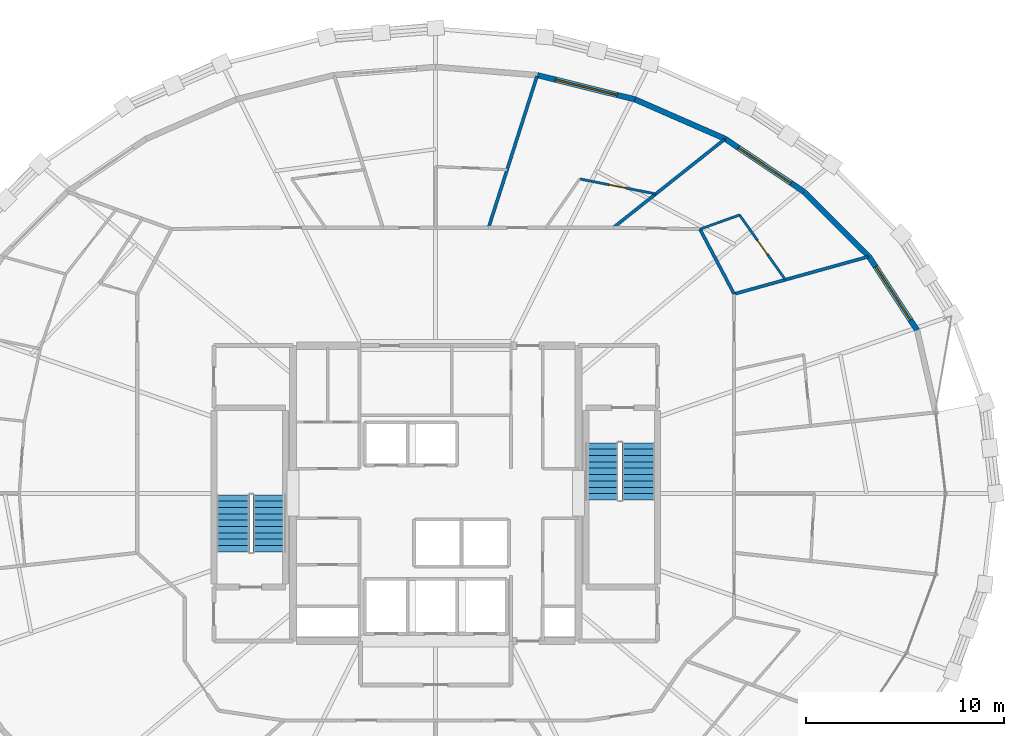
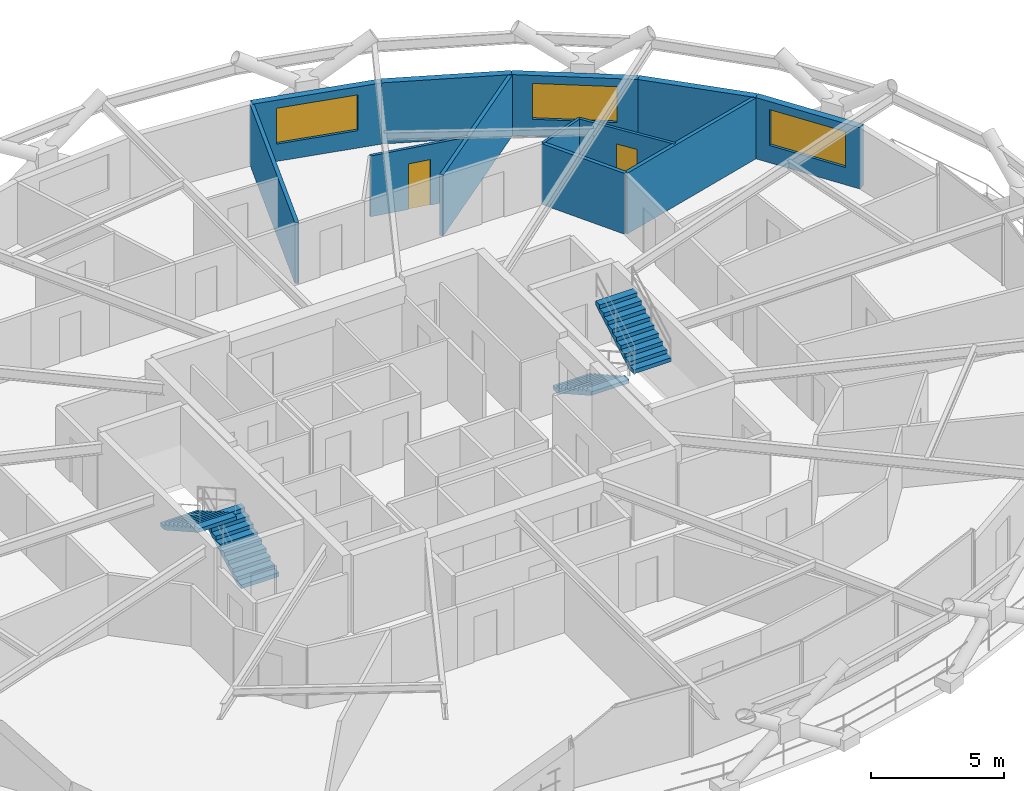
# One storey, part 18 of 19: 12 walls, 4 stair flights, 3 windows, 2 doors, 5 openings, 2 elements without a shape of their own.
"""IFC4 building model written with IfcOpenShell, lengths in metres."""

import ifcopenshell
import ifcopenshell.guid

model = None  # the IFC model being written
_history = None  # IfcOwnerHistory: only IFC2X3 demands one
_inside = {}  # id of a spatial element -> (the spatial element, [elements in it])
_under = {}  # id of a project, library or spatial element -> (it, [spatial elements below it])
_declared = {}  # id of a project -> (the project, [libraries it declares])
_typed = {}  # id of a type object -> (the type object, [elements of that type])
_made_of = {}  # id of a material, layer set ... -> (it, [elements and type objects made of it])


def new_model(schema):
    """Start an empty IFC model of exactly this schema.

    Asked for "IFC4X3", IfcOpenShell would pick the latest addendum, in which some entities
    have other attributes; the version numbers below select the first issue.
    IFC2X3 requires an IfcOwnerHistory on every rooted entity: one is made here for all.
    """
    global model, _history
    if schema == "IFC4X3":
        model = ifcopenshell.file(schema_version=(4, 3, 0, 0))
    else:
        model = ifcopenshell.file(schema=schema)
    _inside.clear()
    _under.clear()
    _declared.clear()
    _typed.clear()
    _made_of.clear()
    _history = None
    if model.schema == "IFC2X3":
        org = make("IfcOrganization", Name="unknown")
        user = make(
            "IfcPersonAndOrganization",
            ThePerson=make("IfcPerson", FamilyName="unknown"),
            TheOrganization=org,
        )
        app = make(
            "IfcApplication",
            ApplicationDeveloper=org,
            Version="unknown",
            ApplicationFullName="unknown",
            ApplicationIdentifier="unknown",
        )
        _history = make(
            "IfcOwnerHistory",
            OwningUser=user,
            OwningApplication=app,
            ChangeAction="ADDED",
            CreationDate=0,
        )
    return model


def make(cls, **values):
    """One entity of the class cls with the attributes given. An attribute that is None is left unset."""
    return model.create_entity(
        cls, **{name: value for name, value in values.items() if value is not None}
    )


def rooted(cls, **values):
    """An entity with a GlobalId (a new one), such as an element, a storey or a relation."""
    return make(cls, GlobalId=ifcopenshell.guid.new(), OwnerHistory=_history, **values)


def si_unit(unit_type, name, prefix=None):
    """IfcSIUnit, for example si_unit("LENGTHUNIT", "METRE", prefix="MILLI")."""
    return make("IfcSIUnit", UnitType=unit_type, Prefix=prefix, Name=name)


def assignment(units):
    """IfcUnitAssignment: the units of a project."""
    return None if units is None else make("IfcUnitAssignment", Units=units)


def point(xyz):
    """IfcCartesianPoint."""
    return None if xyz is None else make("IfcCartesianPoint", Coordinates=xyz)


def direction(xyz):
    """IfcDirection."""
    return None if xyz is None else make("IfcDirection", DirectionRatios=xyz)


def frame(location, z_axis=None, x_axis=None):
    """IfcAxis2Placement3D, a coordinate frame: its origin and axes. An axis left out is left unset."""
    return make(
        "IfcAxis2Placement3D",
        Location=point(location),
        Axis=direction(z_axis),
        RefDirection=direction(x_axis),
    )


def frame_2d(location, x_axis=None):
    """IfcAxis2Placement2D, a coordinate frame in the plane: its origin and x axis."""
    return make(
        "IfcAxis2Placement2D", Location=point(location), RefDirection=direction(x_axis)
    )


def origin():
    """The frame at (0, 0, 0) with its axes left unset."""
    return frame((0.0, 0.0, 0.0))


def place(relative_to, where):
    """IfcLocalPlacement: puts the frame where relative to a parent placement (None: the world)."""
    return make(
        "IfcLocalPlacement", PlacementRelTo=relative_to, RelativePlacement=where
    )


def context(
    kind, dimensions, precision=None, world=None, true_north=None, identifier=None
):
    """IfcGeometricRepresentationContext, for example the 3D "Model" context."""
    return make(
        "IfcGeometricRepresentationContext",
        ContextIdentifier=identifier,
        ContextType=kind,
        CoordinateSpaceDimension=dimensions,
        Precision=precision,
        WorldCoordinateSystem=world,
        TrueNorth=true_north,
    )


def subcontext(parent, identifier, kind, view, scale=None):
    """IfcGeometricRepresentationSubContext, for example "Body" below "Model"."""
    return make(
        "IfcGeometricRepresentationSubContext",
        ContextIdentifier=identifier,
        ContextType=kind,
        ParentContext=parent,
        TargetScale=scale,
        TargetView=view,
    )


def project(units=None, contexts=None):
    """IfcProject with its units and contexts."""
    return rooted(
        "IfcProject",
        Name="project",
        RepresentationContexts=contexts,
        UnitsInContext=assignment(units),
    )


def spatial(cls, under=None, at=None, **own):
    """A site, building, storey or space (cls), placed at a placement, below another one or the project."""
    s = rooted(cls, ObjectPlacement=at, **own)
    if under is not None:
        _under.setdefault(under.id(), (under, []))[1].append(s)
    return s


def polyline(points):
    """IfcPolyline through the points."""
    return make("IfcPolyline", Points=[point(p) for p in points])


def profile(cls, at=None, kind="AREA", **sizes):
    """A parametric profile (cls). Its sizes go by their IFC names, for example OverallWidth=200.0."""
    return make(cls, ProfileType=kind, Position=at, **sizes)


def rectangle(**sizes):
    """IfcRectangleProfileDef."""
    return profile("IfcRectangleProfileDef", **sizes)


def outline(outer, holes=None, kind="AREA"):
    """IfcArbitraryClosedProfileDef: a profile drawn as a closed curve; with holes, ...WithVoids."""
    if holes is None:
        return make("IfcArbitraryClosedProfileDef", ProfileType=kind, OuterCurve=outer)
    return make(
        "IfcArbitraryProfileDefWithVoids",
        ProfileType=kind,
        OuterCurve=outer,
        InnerCurves=holes,
    )


def extrude(swept, where, along, depth):
    """IfcExtrudedAreaSolid: the profile swept, set in the frame where, extruded along a direction by depth."""
    return make(
        "IfcExtrudedAreaSolid",
        SweptArea=swept,
        Position=where,
        ExtrudedDirection=direction(along),
        Depth=depth,
    )


def shape(context_of_items, identifier, shape_type, items):
    """IfcShapeRepresentation: the items that make up one representation, for example the "Body"."""
    return make(
        "IfcShapeRepresentation",
        ContextOfItems=context_of_items,
        RepresentationIdentifier=identifier,
        RepresentationType=shape_type,
        Items=items,
    )


def material(Name=None, Category=None):
    """IfcMaterial."""
    return make("IfcMaterial", Name=Name, Category=Category)


def layer(
    of_material, thickness, ventilated=None, Name=None, Category=None, Priority=None
):
    """IfcMaterialLayer: one layer of a wall or slab, of a material (None: an air gap)."""
    return make(
        "IfcMaterialLayer",
        Material=of_material,
        LayerThickness=thickness,
        IsVentilated=ventilated,
        Name=Name,
        Category=Category,
        Priority=Priority,
    )


def layer_set(layers, Name=None):
    """IfcMaterialLayerSet."""
    return make("IfcMaterialLayerSet", MaterialLayers=layers, LayerSetName=Name)


def made_of(thing, what):
    """Note that an element or type object is made of a material, layer set ...; save() writes the relation."""
    if what is not None:
        _made_of.setdefault(what.id(), (what, []))[1].append(thing)
    return thing


def type_object(cls, material=None, **own):
    """A type object (cls), such as IfcWallType, which elements share."""
    return made_of(rooted(cls, **own), material)


def element(
    cls,
    number,
    at=None,
    inside=None,
    cuts=None,
    type_object=None,
    material=None,
    context=None,
    identifier="Body",
    shape_type=None,
    held_by="IfcProductDefinitionShape",
    body=None,
    shapes=None,
    **own,
):
    """One element of the class cls, such as IfcWall. Its Tag is "e" and its number.

    at: its placement. inside: the storey or other place that contains it. cuts: it is an
    opening in that element (IfcRelVoidsElement). A single representation is given by context,
    identifier, shape_type and body (its items); several are given by shapes. held_by: the class
    of the entity that holds the representations. save() writes the other relations.
    """
    e = rooted(cls, Tag="e%d" % number, ObjectPlacement=at, **own)
    if body is not None:
        shapes = [shape(context, identifier, shape_type, body)]
    if shapes is not None:
        e.Representation = make(held_by, Representations=shapes)
    if inside is not None:
        _inside.setdefault(inside.id(), (inside, []))[1].append(e)
    if cuts is not None:
        rooted(
            "IfcRelVoidsElement", RelatingBuildingElement=cuts, RelatedOpeningElement=e
        )
    if type_object is not None:
        _typed.setdefault(type_object.id(), (type_object, []))[1].append(e)
    return made_of(e, material)


def fill(opening, filler):
    """IfcRelFillsElement: the door or window that sits in an opening."""
    return rooted(
        "IfcRelFillsElement",
        RelatingOpeningElement=opening,
        RelatedBuildingElement=filler,
    )


def aggregate(whole, parts):
    """IfcRelAggregates: a whole, such as a stair, and the parts it consists of."""
    return rooted("IfcRelAggregates", RelatingObject=whole, RelatedObjects=parts)


def save(model, path):
    """Write the relations noted so far, then the file.

    IfcRelAggregates (storeys below a building ...), IfcRelContainedInSpatialStructure (elements
    in a storey), IfcRelDefinesByType, IfcRelAssociatesMaterial and IfcRelDeclares: one each for
    every whole, place, type object, material and project.
    """
    for whole, parts in _under.values():
        aggregate(whole, parts)
    for where, things in _inside.values():
        rooted(
            "IfcRelContainedInSpatialStructure",
            RelatedElements=things,
            RelatingStructure=where,
        )
    for kind, things in _typed.values():
        rooted("IfcRelDefinesByType", RelatedObjects=things, RelatingType=kind)
    for what, things in _made_of.values():
        rooted("IfcRelAssociatesMaterial", RelatedObjects=things, RelatingMaterial=what)
    for by, libraries in _declared.values():
        rooted("IfcRelDeclares", RelatingContext=by, RelatedDefinitions=libraries)
    model.write(path)


model = new_model("IFC4")

# Units and contexts
model_context = context("Model", 3, precision=1e-05, world=origin(), true_north=direction((0.0, 1.0)))
body_context = subcontext(model_context, "Body", "Model", "MODEL_VIEW")
ifc_project = project(units=[si_unit("LENGTHUNIT", "METRE"), si_unit("AREAUNIT", "SQUARE_METRE"), si_unit("VOLUMEUNIT", "CUBIC_METRE"), si_unit("PLANEANGLEUNIT", "RADIAN"), si_unit("MASSUNIT", "GRAM", prefix="KILO")], contexts=[model_context])

# Site, building, storey
site_placement = place(None, origin())
site = spatial("IfcSite", under=ifc_project, at=site_placement, CompositionType="ELEMENT")
building_placement = place(site_placement, origin())
building = spatial("IfcBuilding", under=site, at=building_placement, Name="Veldorina Hangang Commons", CompositionType="ELEMENT")
storey_placement = place(building_placement, frame((0.0, 0.0, 156.800048828125)))
storey = spatial("IfcBuildingStorey", under=building, at=storey_placement, Name="L40", CompositionType="ELEMENT", Elevation=156.800048828125)

# Wall, opening, window
ifc_material_1 = material(Name="Stone Roman Travertine", Category="masonry")
ifc_layer_1 = layer(ifc_material_1, 0.280029296875)
ifc_layer_set_1 = layer_set([ifc_layer_1], Name="Stone Roman Travertine")
wall_type_1 = type_object("IfcWallType", Name="EW-TRAV-280", PredefinedType="STANDARD", material=ifc_layer_set_1)
wall_1_placement = place(storey_placement, frame((56.27490234375, 32.2294921875, 0.0), z_axis=(0.0, 0.0, 1.0), x_axis=(-0.546834521775, 0.83724070959, 0.0)))
wall_1 = element("IfcWall", 1, at=wall_1_placement, inside=storey, type_object=wall_type_1, Name="L40 travertine facade wall 02", PredefinedType="STANDARD", context=body_context, shape_type="SweptSolid", body=[
    extrude(rectangle(XDim=4.4404296875, YDim=0.280029296875, at=frame_2d((2.22021484375, 0.0))), origin(), (0.0, 0.0, 1.0), 2.820068359375),
])
opening_1_placement = place(wall_1_placement, frame((0.6201171875, 0.0, 0.800048828125)))
opening_1 = element("IfcOpeningElement", 2, at=opening_1_placement, cuts=wall_1, Name="Opening W-01", PredefinedType="OPENING", context=body_context, shape_type="SweptSolid", body=[
    extrude(rectangle(XDim=3.199951171875, YDim=1.64990234375, at=frame_2d((1.60009765625, 0.824951171875))), frame((0.0, 0.14990234375, 0.0), z_axis=(0.0, -1.0, 0.0), x_axis=(1.0, 0.0, 0.0)), (0.0, 0.0, 1.0), 0.300048828125),
])
ifc_material_2 = material(Name="Glass Low-E Triple IGU", Category="glass")
window_type = type_object("IfcWindowType", Name="WIN-TWR-3200", PartitioningType="SINGLE_PANEL", PredefinedType="WINDOW", material=ifc_material_2)
window_1_placement = place(opening_1_placement, origin())
window_1 = element("IfcWindow", 3, at=window_1_placement, inside=storey, type_object=window_type, Name="L40 facade window 02", OverallHeight=1.64990234375, OverallWidth=3.199951171875, PartitioningType="SINGLE_PANEL", PredefinedType="WINDOW", context=body_context, shape_type="SweptSolid", body=[
    extrude(rectangle(XDim=3.199951171875, YDim=1.64990234375, at=frame_2d((1.60009765625, 0.824951171875))), frame((0.0, 0.030029296875, 0.0), z_axis=(0.0, -1.0, 0.0), x_axis=(1.0, 0.0, 0.0)), (0.0, 0.0, 1.0), 0.06005859375),
])
fill(opening_1, window_1)

# Wall
wall_2_placement = place(storey_placement, frame((53.8466796875, 35.947265625, 0.0), z_axis=(0.0, 0.0, 1.0), x_axis=(-0.708084852303, 0.706127355326, 0.0)))
element("IfcWall", 4, at=wall_2_placement, inside=storey, type_object=wall_type_1, Name="L40 travertine facade wall 03", PredefinedType="STANDARD", context=body_context, shape_type="SweptSolid", body=[
    extrude(rectangle(XDim=4.61474609375, YDim=0.280029296875, at=frame_2d((2.307373046875, 0.0))), origin(), (0.0, 0.0, 1.0), 2.820068359375),
])

# Wall, opening, window
wall_3_placement = place(storey_placement, frame((50.5791015625, 39.205810546875, 0.0), z_axis=(0.0, 0.0, 1.0), x_axis=(-0.830095249601, 0.557621624931, 0.0)))
wall_3 = element("IfcWall", 5, at=wall_3_placement, inside=storey, type_object=wall_type_1, Name="L40 travertine facade wall 04", PredefinedType="STANDARD", context=body_context, shape_type="SweptSolid", body=[
    extrude(rectangle(XDim=4.79638671875, YDim=0.280029296875, at=frame_2d((2.398193359375, 0.0))), origin(), (0.0, 0.0, 1.0), 2.820068359375),
])
opening_2_placement = place(wall_3_placement, frame((0.798095703125, 0.0, 0.800048828125)))
opening_2 = element("IfcOpeningElement", 6, at=opening_2_placement, cuts=wall_3, Name="Opening W-01", PredefinedType="OPENING", context=body_context, shape_type="SweptSolid", body=[
    extrude(rectangle(XDim=3.199951171875, YDim=1.64990234375, at=frame_2d((1.60009765625, 0.824951171875))), frame((0.0, 0.14990234375, 0.0), z_axis=(0.0, -1.0, 0.0), x_axis=(1.0, 0.0, 0.0)), (0.0, 0.0, 1.0), 0.300048828125),
])
window_2_placement = place(opening_2_placement, origin())
window_2 = element("IfcWindow", 7, at=window_2_placement, inside=storey, type_object=window_type, Name="L40 facade window 04", OverallHeight=1.64990234375, OverallWidth=3.199951171875, PartitioningType="SINGLE_PANEL", PredefinedType="WINDOW", context=body_context, shape_type="SweptSolid", body=[
    extrude(rectangle(XDim=3.199951171875, YDim=1.64990234375, at=frame_2d((1.60009765625, 0.824951171875))), frame((0.0, 0.030029296875, 0.0), z_axis=(0.0, -1.0, 0.0), x_axis=(1.0, 0.0, 0.0)), (0.0, 0.0, 1.0), 0.06005859375),
])
fill(opening_2, window_2)

# Wall
wall_4_placement = place(storey_placement, frame((46.59765625, 41.88037109375, 0.0), z_axis=(0.0, 0.0, 1.0), x_axis=(-0.916185584373, 0.400754257603, 0.0)))
element("IfcWall", 8, at=wall_4_placement, inside=storey, type_object=wall_type_1, Name="L40 travertine facade wall 05", PredefinedType="STANDARD", context=body_context, shape_type="SweptSolid", body=[
    extrude(rectangle(XDim=4.958251953125, YDim=0.280029296875, at=frame_2d((2.47900390625, 0.0))), origin(), (0.0, 0.0, 1.0), 2.820068359375),
])

# Wall, opening, window
wall_5_placement = place(storey_placement, frame((42.054931640625, 43.867431640625, 0.0), z_axis=(0.0, 0.0, 1.0), x_axis=(-0.970528667517, 0.240985695689, 0.0)))
wall_5 = element("IfcWall", 9, at=wall_5_placement, inside=storey, type_object=wall_type_1, Name="L40 travertine facade wall 06", PredefinedType="STANDARD", context=body_context, shape_type="SweptSolid", body=[
    extrude(rectangle(XDim=5.07861328125, YDim=0.280029296875, at=frame_2d((2.539306640625, 0.0))), origin(), (0.0, 0.0, 1.0), 2.820068359375),
])
opening_3_placement = place(wall_5_placement, frame((0.939208984375, 0.0, 0.800048828125)))
opening_3 = element("IfcOpeningElement", 10, at=opening_3_placement, cuts=wall_5, Name="Opening W-01", PredefinedType="OPENING", context=body_context, shape_type="SweptSolid", body=[
    extrude(rectangle(XDim=3.199951171875, YDim=1.64990234375, at=frame_2d((1.60009765625, 0.824951171875))), frame((0.0, 0.14990234375, 0.0), z_axis=(0.0, -1.0, 0.0), x_axis=(1.0, 0.0, 0.0)), (0.0, 0.0, 1.0), 0.300048828125),
])
window_3_placement = place(opening_3_placement, origin())
window_3 = element("IfcWindow", 11, at=window_3_placement, inside=storey, type_object=window_type, Name="L40 facade window 06", OverallHeight=1.64990234375, OverallWidth=3.199951171875, PartitioningType="SINGLE_PANEL", PredefinedType="WINDOW", context=body_context, shape_type="SweptSolid", body=[
    extrude(rectangle(XDim=3.199951171875, YDim=1.64990234375, at=frame_2d((1.60009765625, 0.824951171875))), frame((0.0, 0.030029296875, 0.0), z_axis=(0.0, -1.0, 0.0), x_axis=(1.0, 0.0, 0.0)), (0.0, 0.0, 1.0), 0.06005859375),
])
fill(opening_3, window_3)

# Walls
ifc_material_3 = material(Name="Gypsum Fire-Rated Twin Stud Wall", Category="gypsum")
ifc_layer_2 = layer(ifc_material_3, 0.159912109375)
ifc_layer_set_2 = layer_set([ifc_layer_2], Name="Gypsum Fire-Rated Twin Stud Wall")
wall_type_2 = type_object("IfcWallType", Name="WL-FIRE-160", PredefinedType="SOLIDWALL", material=ifc_layer_set_2)
wall_6_placement = place(storey_placement, frame((47.050048828125, 34.05615234375, 0.0), z_axis=(0.0, 0.0, 1.0), x_axis=(-0.466737093093, 0.884396113702, 0.0)))
element("IfcWall", 12, at=wall_6_placement, inside=storey, type_object=wall_type_2, Name="L40 U-corridor outer wall 03 051", PredefinedType="SOLIDWALL", context=body_context, shape_type="SweptSolid", body=[
    extrude(rectangle(XDim=3.696044921875, YDim=0.159912109375, at=frame_2d((1.84814453125, 0.0))), origin(), (0.0, 0.0, 1.0), 2.800048828125),
])
wall_7_placement = place(storey_placement, frame((47.050048828125, 34.05615234375, 0.0), z_axis=(0.0, 0.0, 1.0), x_axis=(0.9634039763, 0.268053685758, 0.0)))
element("IfcWall", 13, at=wall_7_placement, inside=storey, type_object=wall_type_2, Name="L40 Unit party wall 03 093", PredefinedType="SOLIDWALL", context=body_context, shape_type="SweptSolid", body=[
    extrude(rectangle(XDim=7.0048828125, YDim=0.159912109375, at=frame_2d((3.50244140625, 0.0))), origin(), (0.0, 0.0, 1.0), 2.800048828125),
])
wall_8_placement = place(storey_placement, frame((40.95361328125, 37.39990234375, 0.0), z_axis=(0.0, 0.0, 1.0), x_axis=(0.783219810205, 0.621744906616, 0.0)))
element("IfcWall", 14, at=wall_8_placement, inside=storey, type_object=wall_type_2, Name="L40 Unit party wall 05 096", PredefinedType="SOLIDWALL", context=body_context, shape_type="SweptSolid", body=[
    extrude(rectangle(XDim=7.156005859375, YDim=0.159912109375, at=frame_2d((3.578125, 0.0))), origin(), (0.0, 0.0, 1.0), 2.800048828125),
])
wall_9_placement = place(storey_placement, frame((34.665283203125, 37.39990234375, 0.0), z_axis=(0.0, 0.0, 1.0), x_axis=(0.304723848151, 0.952440746907, 0.0)))
element("IfcWall", 15, at=wall_9_placement, inside=storey, type_object=wall_type_2, Name="L40 Unit party wall 07 099", PredefinedType="SOLIDWALL", context=body_context, shape_type="SweptSolid", body=[
    extrude(rectangle(XDim=8.025390625, YDim=0.159912109375, at=frame_2d((4.0126953125, 0.0))), origin(), (0.0, 0.0, 1.0), 2.800048828125),
])

# Wall, opening, door
ifc_material_4 = material(Name="Gypsum Acoustic Stud Partition", Category="gypsum")
ifc_layer_3 = layer(ifc_material_4, 0.1201171875)
ifc_layer_set_3 = layer_set([ifc_layer_3], Name="Gypsum Acoustic Stud Partition")
wall_type_3 = type_object("IfcWallType", Name="WL-PART-120", PredefinedType="PARTITIONING", material=ifc_layer_set_3)
wall_10_placement = place(storey_placement, frame((49.6328125, 34.774658203125, 0.0), z_axis=(0.0, 0.0, 1.0), x_axis=(-0.577763318474, 0.816204354207, 0.0)))
wall_10 = element("IfcWall", 16, at=wall_10_placement, inside=storey, type_object=wall_type_3, Name="L40 Studio 5 bath front wall 094", PredefinedType="PARTITIONING", context=body_context, shape_type="SweptSolid", body=[
    extrude(rectangle(XDim=4.00048828125, YDim=0.1201171875, at=frame_2d((2.000244140625, 0.0))), origin(), (0.0, 0.0, 1.0), 2.800048828125),
])
opening_4_placement = place(wall_10_placement, frame((1.570068359375, 0.0, 0.0)))
opening_4 = element("IfcOpeningElement", 17, at=opening_4_placement, cuts=wall_10, Name="Opening D-01", PredefinedType="OPENING", context=body_context, shape_type="SweptSolid", body=[
    extrude(rectangle(XDim=0.860107421875, YDim=2.10009765625, at=frame_2d((0.43017578125, 1.050048828125))), frame((0.0, 0.070068359375, 0.0), z_axis=(0.0, -1.0, 0.0), x_axis=(1.0, 0.0, 0.0)), (0.0, 0.0, 1.0), 0.14013671875),
])
ifc_material_5 = material(Name="Timber Moisture-Resistant Core", Category="wood")
door_type = type_object("IfcDoorType", Name="DR-WET-860", OperationType="SINGLE_SWING_LEFT", PredefinedType="DOOR", material=ifc_material_5)
door_1_placement = place(opening_4_placement, origin())
door_1 = element("IfcDoor", 18, at=door_1_placement, inside=storey, type_object=door_type, Name="L40 Studio 5 bathroom door 028", OperationType="SINGLE_SWING_RIGHT", OverallHeight=2.10009765625, OverallWidth=0.860107421875, PredefinedType="DOOR", context=body_context, shape_type="SweptSolid", body=[
    extrude(rectangle(XDim=0.860107421875, YDim=2.10009765625, at=frame_2d((0.43017578125, 1.050048828125))), frame((0.0, 0.02490234375, 0.0), z_axis=(0.0, -1.0, 0.0), x_axis=(1.0, 0.0, 0.0)), (0.0, 0.0, 1.0), 0.050048828125),
])
fill(opening_4, door_1)

# Wall
wall_11_placement = place(storey_placement, frame((45.324951171875, 37.324951171875, 0.0), z_axis=(0.0, 0.0, 1.0), x_axis=(0.94147594933, 0.33708016381, 0.0)))
element("IfcWall", 19, at=wall_11_placement, inside=storey, type_object=wall_type_3, Name="L40 Studio 5 bath side wall 095", PredefinedType="PARTITIONING", context=body_context, shape_type="SweptSolid", body=[
    extrude(rectangle(XDim=2.12060546875, YDim=0.1201171875, at=frame_2d((1.060302734375, 0.0))), origin(), (0.0, 0.0, 1.0), 2.800048828125),
])

# Wall, opening, door
wall_12_placement = place(storey_placement, frame((43.098388671875, 39.1025390625, 0.0), z_axis=(0.0, 0.0, 1.0), x_axis=(-0.981171766557, 0.19313716502, 0.0)))
wall_12 = element("IfcWall", 20, at=wall_12_placement, inside=storey, type_object=wall_type_3, Name="L40 Studio 6 bath front wall 097", PredefinedType="PARTITIONING", context=body_context, shape_type="SweptSolid", body=[
    extrude(rectangle(XDim=3.909912109375, YDim=0.1201171875, at=frame_2d((1.955078125, 0.0))), origin(), (0.0, 0.0, 1.0), 2.800048828125),
])
opening_5_placement = place(wall_12_placement, frame((1.52490234375, 0.0, 0.0)))
opening_5 = element("IfcOpeningElement", 21, at=opening_5_placement, cuts=wall_12, Name="Opening D-01", PredefinedType="OPENING", context=body_context, shape_type="SweptSolid", body=[
    extrude(rectangle(XDim=0.860107421875, YDim=2.10009765625, at=frame_2d((0.43017578125, 1.050048828125))), frame((0.0, 0.070068359375, 0.0), z_axis=(0.0, -1.0, 0.0), x_axis=(1.0, 0.0, 0.0)), (0.0, 0.0, 1.0), 0.14013671875),
])
door_2_placement = place(opening_5_placement, origin())
door_2 = element("IfcDoor", 22, at=door_2_placement, inside=storey, type_object=door_type, Name="L40 Studio 6 bathroom door 030", OperationType="SINGLE_SWING_RIGHT", OverallHeight=2.10009765625, OverallWidth=0.860107421875, PredefinedType="DOOR", context=body_context, shape_type="SweptSolid", body=[
    extrude(rectangle(XDim=0.860107421875, YDim=2.10009765625, at=frame_2d((0.43017578125, 1.050048828125))), frame((0.0, 0.02490234375, 0.0), z_axis=(0.0, -1.0, 0.0), x_axis=(1.0, 0.0, 0.0)), (0.0, 0.0, 1.0), 0.050048828125),
])
fill(opening_5, door_2)

# Stair, stair flights
ifc_material_6 = material(Name="Concrete C40/50", Category="concrete")
stair_type = type_object("IfcStairType", Name="STR-DOG-1650-20R", PredefinedType="HALF_TURN_STAIR", material=ifc_material_6)
stair_1_placement = place(storey_placement, origin())
stair_1 = element("IfcStair", 23, at=stair_1_placement, inside=storey, type_object=stair_type, Name="L40 Exit stair ST-1", PredefinedType="HALF_TURN_STAIR")
stair_flight_type = type_object("IfcStairFlightType", Name="SFL-STR-1650-20R", PredefinedType="STRAIGHT", material=ifc_material_6)
stair_flight_1_placement = place(storey_placement, frame((23.625, 21.050048828125, 0.0), z_axis=(0.0, 0.0, 1.0), x_axis=(0.0, 1.0, 0.0)))
stair_flight_1 = element("IfcStairFlight", 24, at=stair_flight_1_placement, type_object=stair_flight_type, Name="ST-1 flight 1", NumberOfRisers=10, NumberOfTreads=9, PredefinedType="STRAIGHT", RiserHeight=0.18, TreadLength=0.32, context=body_context, shape_type="SweptSolid", body=[
    extrude(outline(polyline([(0.0, 0.0), (0.0, 0.179931640625), (0.320068359375, 0.179931640625), (0.320068359375, 0.360107421875), (0.639892578125, 0.360107421875), (0.639892578125, 0.5400390625), (0.9599609375, 0.5400390625), (0.9599609375, 0.719970703125), (1.280029296875, 0.719970703125), (1.280029296875, 0.89990234375), (1.60009765625, 0.89990234375), (1.60009765625, 1.080078125), (1.919921875, 1.080078125), (1.919921875, 1.260009765625), (2.239990234375, 1.260009765625), (2.239990234375, 1.43994140625), (2.56005859375, 1.43994140625), (2.56005859375, 1.6201171875), (2.8798828125, 1.6201171875), (2.8798828125, 1.800048828125), (2.8798828125, 1.447998046875), (0.3056640625, 0.0), (0.0, 0.0)])), frame((0.0, 0.824951171875, 0.0), z_axis=(0.0, -1.0, 0.0), x_axis=(1.0, 0.0, 0.0)), (0.0, 0.0, 1.0), 1.64990234375),
])
stair_flight_2_placement = place(storey_placement, frame((21.77490234375, 23.929931640625, 1.800048828125), z_axis=(0.0, 0.0, 1.0), x_axis=(0.0, -1.0, 0.0)))
stair_flight_2 = element("IfcStairFlight", 25, at=stair_flight_2_placement, type_object=stair_flight_type, Name="ST-1 flight 2", NumberOfRisers=10, NumberOfTreads=9, PredefinedType="STRAIGHT", RiserHeight=0.18, TreadLength=0.32, context=body_context, shape_type="SweptSolid", body=[
    extrude(outline(polyline([(0.0, 0.0), (0.0, 0.179931640625), (0.320068359375, 0.179931640625), (0.320068359375, 0.360107421875), (0.639892578125, 0.360107421875), (0.639892578125, 0.5400390625), (0.9599609375, 0.5400390625), (0.9599609375, 0.719970703125), (1.280029296875, 0.719970703125), (1.280029296875, 0.89990234375), (1.60009765625, 0.89990234375), (1.60009765625, 1.080078125), (1.919921875, 1.080078125), (1.919921875, 1.260009765625), (2.239990234375, 1.260009765625), (2.239990234375, 1.43994140625), (2.56005859375, 1.43994140625), (2.56005859375, 1.6201171875), (2.8798828125, 1.6201171875), (2.8798828125, 1.800048828125), (2.8798828125, 1.447998046875), (0.3056640625, 0.0), (0.0, 0.0)])), frame((0.0, 0.824951171875, 0.0), z_axis=(0.0, -1.0, 0.0), x_axis=(1.0, 0.0, 0.0)), (0.0, 0.0, 1.0), 1.64990234375),
])
aggregate(stair_1, [stair_flight_1, stair_flight_2])

stair_2_placement = place(storey_placement, origin())
stair_2 = element("IfcStair", 26, at=stair_2_placement, inside=storey, type_object=stair_type, Name="L40 Exit stair ST-2", PredefinedType="HALF_TURN_STAIR")
stair_flight_3_placement = place(storey_placement, frame((40.375, 26.550048828125, 0.0), z_axis=(0.0, 0.0, 1.0), x_axis=(0.0, -1.0, 0.0)))
stair_flight_3 = element("IfcStairFlight", 27, at=stair_flight_3_placement, type_object=stair_flight_type, Name="ST-2 flight 1", NumberOfRisers=10, NumberOfTreads=9, PredefinedType="STRAIGHT", RiserHeight=0.18, TreadLength=0.32, context=body_context, shape_type="SweptSolid", body=[
    extrude(outline(polyline([(0.0, 0.0), (0.0, 0.179931640625), (0.320068359375, 0.179931640625), (0.320068359375, 0.360107421875), (0.639892578125, 0.360107421875), (0.639892578125, 0.5400390625), (0.9599609375, 0.5400390625), (0.9599609375, 0.719970703125), (1.280029296875, 0.719970703125), (1.280029296875, 0.89990234375), (1.60009765625, 0.89990234375), (1.60009765625, 1.080078125), (1.919921875, 1.080078125), (1.919921875, 1.260009765625), (2.239990234375, 1.260009765625), (2.239990234375, 1.43994140625), (2.56005859375, 1.43994140625), (2.56005859375, 1.6201171875), (2.8798828125, 1.6201171875), (2.8798828125, 1.800048828125), (2.8798828125, 1.447998046875), (0.3056640625, 0.0), (0.0, 0.0)])), frame((0.0, 0.824951171875, 0.0), z_axis=(0.0, -1.0, 0.0), x_axis=(1.0, 0.0, 0.0)), (0.0, 0.0, 1.0), 1.64990234375),
])
stair_flight_4_placement = place(storey_placement, frame((42.22509765625, 23.669921875, 1.800048828125), z_axis=(0.0, 0.0, 1.0), x_axis=(0.0, 1.0, 0.0)))
stair_flight_4 = element("IfcStairFlight", 28, at=stair_flight_4_placement, type_object=stair_flight_type, Name="ST-2 flight 2", NumberOfRisers=10, NumberOfTreads=9, PredefinedType="STRAIGHT", RiserHeight=0.18, TreadLength=0.32, context=body_context, shape_type="SweptSolid", body=[
    extrude(outline(polyline([(0.0, 0.0), (0.0, 0.179931640625), (0.320068359375, 0.179931640625), (0.320068359375, 0.360107421875), (0.639892578125, 0.360107421875), (0.639892578125, 0.5400390625), (0.9599609375, 0.5400390625), (0.9599609375, 0.719970703125), (1.280029296875, 0.719970703125), (1.280029296875, 0.89990234375), (1.60009765625, 0.89990234375), (1.60009765625, 1.080078125), (1.919921875, 1.080078125), (1.919921875, 1.260009765625), (2.239990234375, 1.260009765625), (2.239990234375, 1.43994140625), (2.56005859375, 1.43994140625), (2.56005859375, 1.6201171875), (2.8798828125, 1.6201171875), (2.8798828125, 1.800048828125), (2.8798828125, 1.447998046875), (0.3056640625, 0.0), (0.0, 0.0)])), frame((0.0, 0.824951171875, 0.0), z_axis=(0.0, -1.0, 0.0), x_axis=(1.0, 0.0, 0.0)), (0.0, 0.0, 1.0), 1.64990234375),
])
aggregate(stair_2, [stair_flight_3, stair_flight_4])

save(model, "model.ifc")
